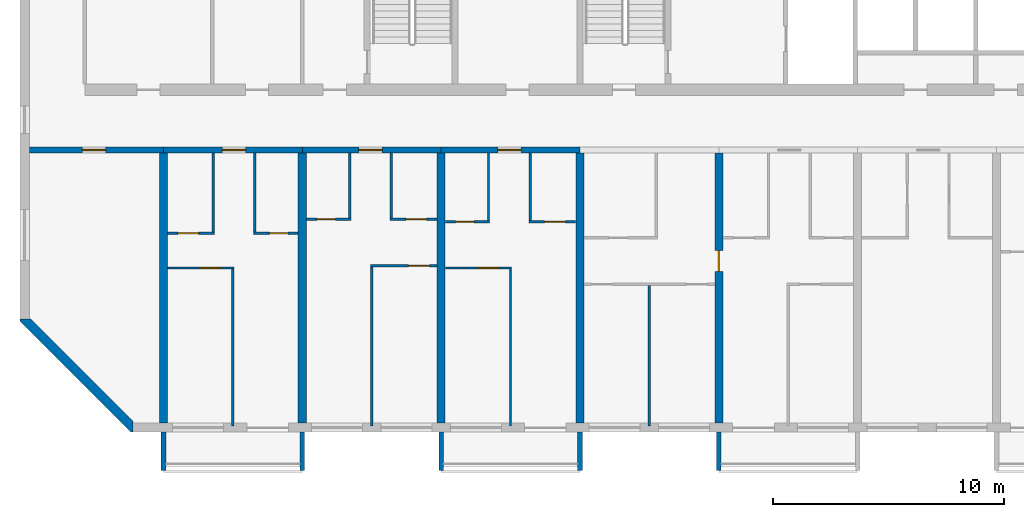
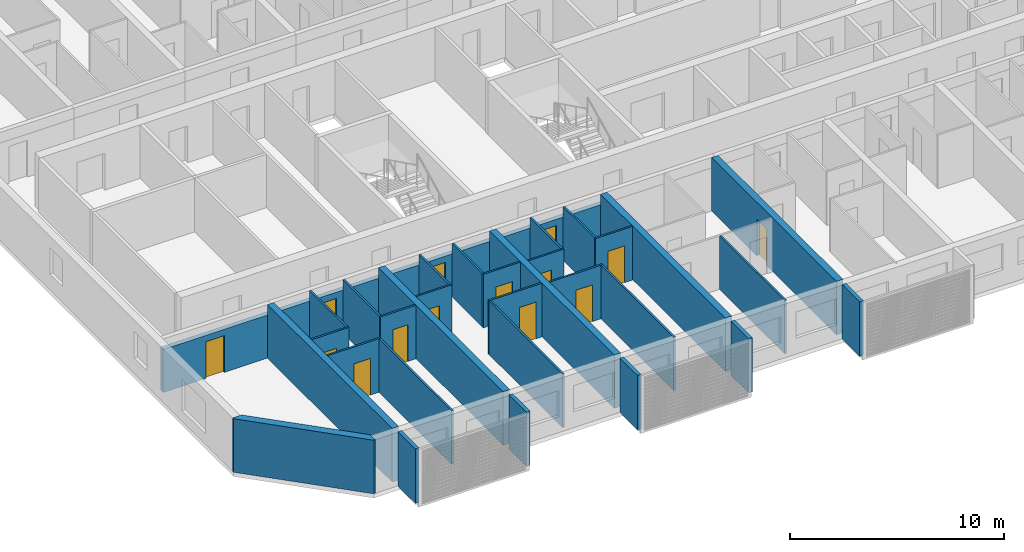
# One storey, part 2 of 26: 34 walls, 14 doors, 14 openings.
"""IFC4 building model written with IfcOpenShell, lengths in metres."""

from ifc_helpers import new_model, si_unit, direction, frame, frame_2d, origin, place, context, subcontext, project, spatial, polyline, rectangle, outline, extrude, source, transform, mapped, material, layer, layer_set, type_object, element, fill, save


model = new_model("IFC4")

# Units and contexts
model_context = context("Model", 3, precision=1e-05, world=origin(), true_north=direction((0.0, 1.0)))
body_context = subcontext(model_context, "Body", "Model", "MODEL_VIEW")
ifc_project = project(units=[si_unit("LENGTHUNIT", "METRE"), si_unit("AREAUNIT", "SQUARE_METRE"), si_unit("VOLUMEUNIT", "CUBIC_METRE"), si_unit("PLANEANGLEUNIT", "RADIAN"), si_unit("MASSUNIT", "GRAM", prefix="KILO")], contexts=[model_context])

# Site, building, storey
site_placement = place(None, origin())
site = spatial("IfcSite", under=ifc_project, at=site_placement, CompositionType="ELEMENT")
building_placement = place(site_placement, origin())
building = spatial("IfcBuilding", under=site, at=building_placement, Name="Poui Terraces", CompositionType="ELEMENT")
storey_placement = place(building_placement, frame((0.0, 0.0, 79.5)))
storey = spatial("IfcBuildingStorey", under=building, at=storey_placement, Name="L21", CompositionType="ELEMENT", Elevation=79.5)

# Wall, opening, door
ifc_material_1 = material(Name="Concrete 65 MPa", Category="concrete")
ifc_layer_1 = layer(ifc_material_1, 0.25)
ifc_layer_set_1 = layer_set([ifc_layer_1], Name="Concrete 65 MPa")
wall_type_1 = type_object("IfcWallType", Name="CORRIDOR WALL 250 65MPa", PredefinedType="SHEAR", material=ifc_layer_set_1)
wall_1_placement = place(storey_placement, frame((6.199951171875, 12.0, 0.0), z_axis=(0.0, 0.0, 1.0), x_axis=(1.0, 0.0, 0.0)))
wall_1 = element("IfcWall", 1, at=wall_1_placement, inside=storey, type_object=wall_type_1, Name="CORRIDOR WALL LINE B BAY 1", PredefinedType="SHEAR", context=body_context, shape_type="SweptSolid", body=[
    extrude(rectangle(XDim=5.800048828125, YDim=0.25, at=frame_2d((2.89990234375, 0.0))), origin(), (0.0, 0.0, 1.0), 2.4599609375),
])
opening_1_placement = place(wall_1_placement, frame((2.300048828125, 0.0, 0.0)))
opening_1 = element("IfcOpeningElement", 2, at=opening_1_placement, cuts=wall_1, Name="Opening D100", PredefinedType="OPENING", context=body_context, shape_type="SweptSolid", body=[
    extrude(rectangle(XDim=1.0, YDim=2.10009765625, at=frame_2d((0.5, 1.050048828125))), frame((0.0, 0.135009765625, 0.0), z_axis=(0.0, -1.0, 0.0), x_axis=(1.0, 0.0, 0.0)), (0.0, 0.0, 1.0), 0.27001953125),
])
ifc_material_2 = material(Name="Solid core timber door", Category="wood")
door_type_1 = type_object("IfcDoorType", Name="ACCESSIBLE INTERNAL DOOR 1000 X 2100", OperationType="NOTDEFINED", PredefinedType="DOOR", material=ifc_material_2)
door_1_placement = place(opening_1_placement, frame((1.0, 0.0, 0.0), z_axis=(0.0, 0.0, 1.0), x_axis=(-1.0, 0.0, 0.0)))
door_1 = element("IfcDoor", 3, at=door_1_placement, inside=storey, type_object=door_type_1, Name="ACCESSIBLE INTERNAL DOOR 083", OperationType="SINGLE_SWING_RIGHT", OverallHeight=2.10009765625, OverallWidth=1.0, PredefinedType="DOOR", context=body_context, shape_type="SweptSolid", body=[
    extrude(rectangle(XDim=1.0, YDim=2.10009765625, at=frame_2d((0.5, 1.050048828125))), frame((0.0, 0.02490234375, 0.0), z_axis=(0.0, -1.0, 0.0), x_axis=(1.0, 0.0, 0.0)), (0.0, 0.0, 1.0), 0.050048828125),
])
fill(opening_1, door_1)

wall_2_placement = place(storey_placement, frame((12.0, 12.0, 0.0), z_axis=(0.0, 0.0, 1.0), x_axis=(1.0, 0.0, 0.0)))
wall_2 = element("IfcWall", 4, at=wall_2_placement, inside=storey, type_object=wall_type_1, Name="CORRIDOR WALL LINE B BAY 2", PredefinedType="SHEAR", context=body_context, shape_type="SweptSolid", body=[
    extrude(rectangle(XDim=6.0, YDim=0.25, at=frame_2d((3.0, 0.0))), origin(), (0.0, 0.0, 1.0), 2.4599609375),
])
opening_2_placement = place(wall_2_placement, frame((2.550048828125, 0.0, 0.0)))
opening_2 = element("IfcOpeningElement", 5, at=opening_2_placement, cuts=wall_2, Name="Opening FD30S", PredefinedType="OPENING", context=body_context, shape_type="SweptSolid", body=[
    extrude(rectangle(XDim=1.0, YDim=2.10009765625, at=frame_2d((0.5, 1.050048828125))), frame((0.0, 0.135009765625, 0.0), z_axis=(0.0, -1.0, 0.0), x_axis=(1.0, 0.0, 0.0)), (0.0, 0.0, 1.0), 0.27001953125),
])
ifc_material_3 = material(Name="Steel fire door", Category="steel")
door_type_2 = type_object("IfcDoorType", Name="FLAT ENTRANCE DOOR 1000 X 2100", OperationType="NOTDEFINED", PredefinedType="DOOR", material=ifc_material_3)
door_2_placement = place(opening_2_placement, frame((1.0, 0.0, 0.0), z_axis=(0.0, 0.0, 1.0), x_axis=(-1.0, 0.0, 0.0)))
door_2 = element("IfcDoor", 6, at=door_2_placement, inside=storey, type_object=door_type_2, Name="FLAT ENTRANCE DOOR 086", OperationType="SINGLE_SWING_LEFT", OverallHeight=2.10009765625, OverallWidth=1.0, PredefinedType="DOOR", context=body_context, shape_type="SweptSolid", body=[
    extrude(rectangle(XDim=1.0, YDim=2.10009765625, at=frame_2d((0.5, 1.050048828125))), frame((0.0, 0.02490234375, 0.0), z_axis=(0.0, -1.0, 0.0), x_axis=(1.0, 0.0, 0.0)), (0.0, 0.0, 1.0), 0.050048828125),
])
fill(opening_2, door_2)

wall_3_placement = place(storey_placement, frame((18.0, 12.0, 0.0), z_axis=(0.0, 0.0, 1.0), x_axis=(1.0, 0.0, 0.0)))
wall_3 = element("IfcWall", 7, at=wall_3_placement, inside=storey, type_object=wall_type_1, Name="CORRIDOR WALL LINE B BAY 3", PredefinedType="SHEAR", context=body_context, shape_type="SweptSolid", body=[
    extrude(rectangle(XDim=6.0, YDim=0.25, at=frame_2d((3.0, 0.0))), origin(), (0.0, 0.0, 1.0), 2.4599609375),
])
opening_3_placement = place(wall_3_placement, frame((2.449951171875, 0.0, 0.0)))
opening_3 = element("IfcOpeningElement", 8, at=opening_3_placement, cuts=wall_3, Name="Opening FD30S", PredefinedType="OPENING", context=body_context, shape_type="SweptSolid", body=[
    extrude(rectangle(XDim=1.0, YDim=2.10009765625, at=frame_2d((0.5, 1.050048828125))), frame((0.0, 0.135009765625, 0.0), z_axis=(0.0, -1.0, 0.0), x_axis=(1.0, 0.0, 0.0)), (0.0, 0.0, 1.0), 0.27001953125),
])
door_3_placement = place(opening_3_placement, frame((1.0, 0.0, 0.0), z_axis=(0.0, 0.0, 1.0), x_axis=(-1.0, 0.0, 0.0)))
door_3 = element("IfcDoor", 9, at=door_3_placement, inside=storey, type_object=door_type_2, Name="FLAT ENTRANCE DOOR 089", OperationType="SINGLE_SWING_RIGHT", OverallHeight=2.10009765625, OverallWidth=1.0, PredefinedType="DOOR", context=body_context, shape_type="SweptSolid", body=[
    extrude(rectangle(XDim=1.0, YDim=2.10009765625, at=frame_2d((0.5, 1.050048828125))), frame((0.0, 0.02490234375, 0.0), z_axis=(0.0, -1.0, 0.0), x_axis=(1.0, 0.0, 0.0)), (0.0, 0.0, 1.0), 0.050048828125),
])
fill(opening_3, door_3)

wall_4_placement = place(storey_placement, frame((24.0, 12.0, 0.0), z_axis=(0.0, 0.0, 1.0), x_axis=(1.0, 0.0, 0.0)))
wall_4 = element("IfcWall", 10, at=wall_4_placement, inside=storey, type_object=wall_type_1, Name="CORRIDOR WALL LINE B BAY 4", PredefinedType="SHEAR", context=body_context, shape_type="SweptSolid", body=[
    extrude(rectangle(XDim=6.0, YDim=0.25, at=frame_2d((3.0, 0.0))), origin(), (0.0, 0.0, 1.0), 2.4599609375),
])
opening_4_placement = place(wall_4_placement, frame((2.449951171875, 0.0, 0.0)))
opening_4 = element("IfcOpeningElement", 11, at=opening_4_placement, cuts=wall_4, Name="Opening FD30S", PredefinedType="OPENING", context=body_context, shape_type="SweptSolid", body=[
    extrude(rectangle(XDim=1.0, YDim=2.10009765625, at=frame_2d((0.5, 1.050048828125))), frame((0.0, 0.135009765625, 0.0), z_axis=(0.0, -1.0, 0.0), x_axis=(1.0, 0.0, 0.0)), (0.0, 0.0, 1.0), 0.27001953125),
])
door_4_placement = place(opening_4_placement, frame((1.0, 0.0, 0.0), z_axis=(0.0, 0.0, 1.0), x_axis=(-1.0, 0.0, 0.0)))
door_4 = element("IfcDoor", 12, at=door_4_placement, inside=storey, type_object=door_type_2, Name="FLAT ENTRANCE DOOR 094", OperationType="SINGLE_SWING_RIGHT", OverallHeight=2.10009765625, OverallWidth=1.0, PredefinedType="DOOR", context=body_context, shape_type="SweptSolid", body=[
    extrude(rectangle(XDim=1.0, YDim=2.10009765625, at=frame_2d((0.5, 1.050048828125))), frame((0.0, 0.02490234375, 0.0), z_axis=(0.0, -1.0, 0.0), x_axis=(1.0, 0.0, 0.0)), (0.0, 0.0, 1.0), 0.050048828125),
])
fill(opening_4, door_4)

# Walls
ifc_layer_2 = layer(ifc_material_1, 0.35009765625)
ifc_layer_set_2 = layer_set([ifc_layer_2], Name="Concrete 65 MPa")
wall_type_2 = type_object("IfcWallType", Name="CROSS WALL 350 65MPa", PredefinedType="SHEAR", material=ifc_layer_set_2)
for number, where, z_axis, x_axis, name in (
    (13, (12.0, 0.199951171875, 0.0), (0.0, 0.0, 1.0), (0.0, 1.0, 0.0), "CROSS WALL LINE 3 SOUTH"),
    (14, (18.0, 0.199951171875, 0.0), (0.0, 0.0, 1.0), (0.0, 1.0, 0.0), "CROSS WALL LINE 4 SOUTH"),
    (15, (24.0, 0.199951171875, 0.0), (0.0, 0.0, 1.0), (0.0, 1.0, 0.0), "CROSS WALL LINE 5 SOUTH"),
    (16, (30.0, 0.199951171875, 0.0), (0.0, 0.0, 1.0), (0.0, 1.0, 0.0), "CROSS WALL LINE 6 SOUTH"),
):
    element("IfcWall", number, at=place(storey_placement, frame(where, z_axis=z_axis, x_axis=x_axis)), inside=storey, type_object=wall_type_2, Name=name, PredefinedType="SHEAR", context=body_context, shape_type="SweptSolid", body=[
        extrude(rectangle(XDim=11.675048828125, YDim=0.35009765625, at=frame_2d((5.83740234375, 0.0))), origin(), (0.0, 0.0, 1.0), 3.06005859375),
    ])

# Wall, opening, door
wall_5_placement = place(storey_placement, frame((36.0, 0.199951171875, 0.0), z_axis=(0.0, 0.0, 1.0), x_axis=(0.0, 1.0, 0.0)))
wall_5 = element("IfcWall", 17, at=wall_5_placement, inside=storey, type_object=wall_type_2, Name="CROSS WALL LINE 7 SOUTH", PredefinedType="SHEAR", context=body_context, shape_type="SweptSolid", body=[
    extrude(rectangle(XDim=11.675048828125, YDim=0.35009765625, at=frame_2d((5.83740234375, 0.0))), origin(), (0.0, 0.0, 1.0), 3.06005859375),
])
opening_5_placement = place(wall_5_placement, frame((6.550048828125, 0.0, 0.0)))
opening_5 = element("IfcOpeningElement", 18, at=opening_5_placement, cuts=wall_5, Name="Opening D90", PredefinedType="OPENING", context=body_context, shape_type="SweptSolid", body=[
    extrude(rectangle(XDim=0.89990234375, YDim=2.10009765625, at=frame_2d((0.449951171875, 1.050048828125))), frame((0.0, 0.18505859375, 0.0), z_axis=(0.0, -1.0, 0.0), x_axis=(1.0, 0.0, 0.0)), (0.0, 0.0, 1.0), 0.3701171875),
])
door_type_3 = type_object("IfcDoorType", Name="INTERNAL DOOR 900 X 2100", OperationType="NOTDEFINED", PredefinedType="DOOR", material=ifc_material_2)
door_5_placement = place(opening_5_placement, frame((0.89990234375, 0.0, 0.0), z_axis=(0.0, 0.0, 1.0), x_axis=(-1.0, 0.0, 0.0)))
door_5 = element("IfcDoor", 19, at=door_5_placement, inside=storey, type_object=door_type_3, Name="INTERNAL DOOR 099", OperationType="SINGLE_SWING_LEFT", OverallHeight=2.10009765625, OverallWidth=0.89990234375, PredefinedType="DOOR", context=body_context, shape_type="SweptSolid", body=[
    extrude(rectangle(XDim=0.89990234375, YDim=2.10009765625, at=frame_2d((0.449951171875, 1.050048828125))), frame((0.0, 0.02490234375, 0.0), z_axis=(0.0, -1.0, 0.0), x_axis=(1.0, 0.0, 0.0)), (0.0, 0.0, 1.0), 0.050048828125),
])
fill(opening_5, door_5)

ifc_material_4 = material(Name="Plasterboard partition")
ifc_layer_3 = layer(ifc_material_4, 0.10009765625)
ifc_layer_set_3 = layer_set([ifc_layer_3], Name="Plasterboard partition")
wall_type_3 = type_object("IfcWallType", Name="FLAT PARTITION 100", PredefinedType="PARTITIONING", material=ifc_layer_set_3)
wall_6_placement = place(storey_placement, frame((12.18505859375, 6.89990234375, 0.0), z_axis=(0.0, 0.0, 1.0), x_axis=(1.0, 0.0, 0.0)))
wall_6 = element("IfcWall", 20, at=wall_6_placement, inside=storey, type_object=wall_type_3, Name="FLAT PARTITION 100", PredefinedType="PARTITIONING", context=body_context, shape_type="SweptSolid", body=[
    extrude(rectangle(XDim=2.864990234375, YDim=0.10009765625, at=frame_2d((1.4326171875, 0.0))), origin(), (0.0, 0.0, 1.0), 3.06005859375),
])
opening_6_placement = place(wall_6_placement, frame((1.4150390625, 0.0, 0.0)))
opening_6 = element("IfcOpeningElement", 21, at=opening_6_placement, cuts=wall_6, Name="Opening D90", PredefinedType="OPENING", context=body_context, shape_type="SweptSolid", body=[
    extrude(rectangle(XDim=0.89990234375, YDim=2.10009765625, at=frame_2d((0.449951171875, 1.050048828125))), frame((0.0, 0.06005859375, 0.0), z_axis=(0.0, -1.0, 0.0), x_axis=(1.0, 0.0, 0.0)), (0.0, 0.0, 1.0), 0.1201171875),
])
door_6_placement = place(opening_6_placement, origin())
door_6 = element("IfcDoor", 22, at=door_6_placement, inside=storey, type_object=door_type_3, Name="INTERNAL DOOR 085", OperationType="SINGLE_SWING_LEFT", OverallHeight=2.10009765625, OverallWidth=0.89990234375, PredefinedType="DOOR", context=body_context, shape_type="SweptSolid", body=[
    extrude(rectangle(XDim=0.89990234375, YDim=2.10009765625, at=frame_2d((0.449951171875, 1.050048828125))), frame((0.0, 0.02490234375, 0.0), z_axis=(0.0, -1.0, 0.0), x_axis=(1.0, 0.0, 0.0)), (0.0, 0.0, 1.0), 0.050048828125),
])
fill(opening_6, door_6)

wall_7_placement = place(storey_placement, frame((24.18505859375, 6.89990234375, 0.0), z_axis=(0.0, 0.0, 1.0), x_axis=(1.0, 0.0, 0.0)))
wall_7 = element("IfcWall", 23, at=wall_7_placement, inside=storey, type_object=wall_type_3, Name="FLAT PARTITION 100", PredefinedType="PARTITIONING", context=body_context, shape_type="SweptSolid", body=[
    extrude(rectangle(XDim=2.864990234375, YDim=0.10009765625, at=frame_2d((1.4326171875, 0.0))), origin(), (0.0, 0.0, 1.0), 3.06005859375),
])
opening_7_placement = place(wall_7_placement, frame((1.4150390625, 0.0, 0.0)))
opening_7 = element("IfcOpeningElement", 24, at=opening_7_placement, cuts=wall_7, Name="Opening D90", PredefinedType="OPENING", context=body_context, shape_type="SweptSolid", body=[
    extrude(rectangle(XDim=0.89990234375, YDim=2.10009765625, at=frame_2d((0.449951171875, 1.050048828125))), frame((0.0, 0.06005859375, 0.0), z_axis=(0.0, -1.0, 0.0), x_axis=(1.0, 0.0, 0.0)), (0.0, 0.0, 1.0), 0.1201171875),
])
door_7_placement = place(opening_7_placement, origin())
door_7 = element("IfcDoor", 25, at=door_7_placement, inside=storey, type_object=door_type_3, Name="INTERNAL DOOR 093", OperationType="SINGLE_SWING_LEFT", OverallHeight=2.10009765625, OverallWidth=0.89990234375, PredefinedType="DOOR", context=body_context, shape_type="SweptSolid", body=[
    extrude(rectangle(XDim=0.89990234375, YDim=2.10009765625, at=frame_2d((0.449951171875, 1.050048828125))), frame((0.0, 0.02490234375, 0.0), z_axis=(0.0, -1.0, 0.0), x_axis=(1.0, 0.0, 0.0)), (0.0, 0.0, 1.0), 0.050048828125),
])
fill(opening_7, door_7)

wall_8_placement = place(storey_placement, frame((20.949951171875, 7.0, 0.0), z_axis=(0.0, 0.0, 1.0), x_axis=(1.0, 0.0, 0.0)))
wall_8 = element("IfcWall", 26, at=wall_8_placement, inside=storey, type_object=wall_type_3, Name="FLAT PARTITION 100", PredefinedType="PARTITIONING", context=body_context, shape_type="SweptSolid", body=[
    extrude(rectangle(XDim=2.864990234375, YDim=0.10009765625, at=frame_2d((1.4326171875, 0.0))), origin(), (0.0, 0.0, 1.0), 3.06005859375),
])
opening_8_placement = place(wall_8_placement, frame((1.64990234375, 0.0, 0.0)))
opening_8 = element("IfcOpeningElement", 27, at=opening_8_placement, cuts=wall_8, Name="Opening D90", PredefinedType="OPENING", context=body_context, shape_type="SweptSolid", body=[
    extrude(rectangle(XDim=0.89990234375, YDim=2.10009765625, at=frame_2d((0.449951171875, 1.050048828125))), frame((0.0, 0.06005859375, 0.0), z_axis=(0.0, -1.0, 0.0), x_axis=(1.0, 0.0, 0.0)), (0.0, 0.0, 1.0), 0.1201171875),
])
door_8_placement = place(opening_8_placement, origin())
door_8 = element("IfcDoor", 28, at=door_8_placement, inside=storey, type_object=door_type_3, Name="INTERNAL DOOR 091", OperationType="SINGLE_SWING_LEFT", OverallHeight=2.10009765625, OverallWidth=0.89990234375, PredefinedType="DOOR", context=body_context, shape_type="SweptSolid", body=[
    extrude(rectangle(XDim=0.89990234375, YDim=2.10009765625, at=frame_2d((0.449951171875, 1.050048828125))), frame((0.0, 0.02490234375, 0.0), z_axis=(0.0, -1.0, 0.0), x_axis=(1.0, 0.0, 0.0)), (0.0, 0.0, 1.0), 0.050048828125),
])
fill(opening_8, door_8)

wall_9_placement = place(storey_placement, frame((12.18505859375, 8.39990234375, 0.0), z_axis=(0.0, 0.0, 1.0), x_axis=(1.0, 0.0, 0.0)))
wall_9 = element("IfcWall", 29, at=wall_9_placement, inside=storey, type_object=wall_type_3, Name="FLAT PARTITION 100", PredefinedType="PARTITIONING", context=body_context, shape_type="SweptSolid", body=[
    extrude(rectangle(XDim=2.014892578125, YDim=0.10009765625, at=frame_2d((1.00732421875, 0.0))), origin(), (0.0, 0.0, 1.0), 3.06005859375),
])
opening_9_placement = place(wall_9_placement, frame((0.43994140625, 0.0, 0.0)))
opening_9 = element("IfcOpeningElement", 30, at=opening_9_placement, cuts=wall_9, Name="Opening D90", PredefinedType="OPENING", context=body_context, shape_type="SweptSolid", body=[
    extrude(rectangle(XDim=0.89990234375, YDim=2.10009765625, at=frame_2d((0.449951171875, 1.050048828125))), frame((0.0, 0.06005859375, 0.0), z_axis=(0.0, -1.0, 0.0), x_axis=(1.0, 0.0, 0.0)), (0.0, 0.0, 1.0), 0.1201171875),
])
door_9_placement = place(opening_9_placement, origin())
door_9 = element("IfcDoor", 31, at=door_9_placement, inside=storey, type_object=door_type_3, Name="INTERNAL DOOR 084", OperationType="SINGLE_SWING_RIGHT", OverallHeight=2.10009765625, OverallWidth=0.89990234375, PredefinedType="DOOR", context=body_context, shape_type="SweptSolid", body=[
    extrude(rectangle(XDim=0.89990234375, YDim=2.10009765625, at=frame_2d((0.449951171875, 1.050048828125))), frame((0.0, 0.02490234375, 0.0), z_axis=(0.0, -1.0, 0.0), x_axis=(1.0, 0.0, 0.0)), (0.0, 0.0, 1.0), 0.050048828125),
])
fill(opening_9, door_9)

wall_10_placement = place(storey_placement, frame((15.89990234375, 8.39990234375, 0.0), z_axis=(0.0, 0.0, 1.0), x_axis=(1.0, 0.0, 0.0)))
wall_10 = element("IfcWall", 32, at=wall_10_placement, inside=storey, type_object=wall_type_3, Name="FLAT PARTITION 100", PredefinedType="PARTITIONING", context=body_context, shape_type="SweptSolid", body=[
    extrude(rectangle(XDim=1.9150390625, YDim=0.10009765625, at=frame_2d((0.95751953125, 0.0))), origin(), (0.0, 0.0, 1.0), 3.06005859375),
])
opening_10_placement = place(wall_10_placement, frame((0.675048828125, 0.0, 0.0)))
opening_10 = element("IfcOpeningElement", 33, at=opening_10_placement, cuts=wall_10, Name="Opening D80", PredefinedType="OPENING", context=body_context, shape_type="SweptSolid", body=[
    extrude(rectangle(XDim=0.800048828125, YDim=2.10009765625, at=frame_2d((0.39990234375, 1.050048828125))), frame((0.0, 0.06005859375, 0.0), z_axis=(0.0, -1.0, 0.0), x_axis=(1.0, 0.0, 0.0)), (0.0, 0.0, 1.0), 0.1201171875),
])
door_type_4 = type_object("IfcDoorType", Name="BATHROOM, LAUNDRY AND STORE DOOR 800 X 2100", OperationType="NOTDEFINED", PredefinedType="DOOR", material=ifc_material_2)
door_10_placement = place(opening_10_placement, origin())
door_10 = element("IfcDoor", 34, at=door_10_placement, inside=storey, type_object=door_type_4, Name="BATHROOM, LAUNDRY AND STORE DOOR 087", OperationType="SINGLE_SWING_LEFT", OverallHeight=2.10009765625, OverallWidth=0.800048828125, PredefinedType="DOOR", context=body_context, shape_type="SweptSolid", body=[
    extrude(rectangle(XDim=0.800048828125, YDim=2.10009765625, at=frame_2d((0.39990234375, 1.050048828125))), frame((0.0, 0.02490234375, 0.0), z_axis=(0.0, -1.0, 0.0), x_axis=(1.0, 0.0, 0.0)), (0.0, 0.0, 1.0), 0.050048828125),
])
fill(opening_10, door_10)

wall_11_placement = place(storey_placement, frame((24.18505859375, 8.89990234375, 0.0), z_axis=(0.0, 0.0, 1.0), x_axis=(1.0, 0.0, 0.0)))
wall_11 = element("IfcWall", 35, at=wall_11_placement, inside=storey, type_object=wall_type_3, Name="FLAT PARTITION 100", PredefinedType="PARTITIONING", context=body_context, shape_type="SweptSolid", body=[
    extrude(rectangle(XDim=1.9150390625, YDim=0.10009765625, at=frame_2d((0.95751953125, 0.0))), origin(), (0.0, 0.0, 1.0), 3.06005859375),
])
opening_11_placement = place(wall_11_placement, frame((0.43994140625, 0.0, 0.0)))
opening_11 = element("IfcOpeningElement", 36, at=opening_11_placement, cuts=wall_11, Name="Opening D80", PredefinedType="OPENING", context=body_context, shape_type="SweptSolid", body=[
    extrude(rectangle(XDim=0.800048828125, YDim=2.10009765625, at=frame_2d((0.39990234375, 1.050048828125))), frame((0.0, 0.06005859375, 0.0), z_axis=(0.0, -1.0, 0.0), x_axis=(1.0, 0.0, 0.0)), (0.0, 0.0, 1.0), 0.1201171875),
])
door_11_placement = place(opening_11_placement, origin())
door_11 = element("IfcDoor", 37, at=door_11_placement, inside=storey, type_object=door_type_4, Name="BATHROOM, LAUNDRY AND STORE DOOR 092", OperationType="SINGLE_SWING_RIGHT", OverallHeight=2.10009765625, OverallWidth=0.800048828125, PredefinedType="DOOR", context=body_context, shape_type="SweptSolid", body=[
    extrude(rectangle(XDim=0.800048828125, YDim=2.10009765625, at=frame_2d((0.39990234375, 1.050048828125))), frame((0.0, 0.02490234375, 0.0), z_axis=(0.0, -1.0, 0.0), x_axis=(1.0, 0.0, 0.0)), (0.0, 0.0, 1.0), 0.050048828125),
])
fill(opening_11, door_11)

wall_12_placement = place(storey_placement, frame((27.800048828125, 8.89990234375, 0.0), z_axis=(0.0, 0.0, 1.0), x_axis=(1.0, 0.0, 0.0)))
wall_12 = element("IfcWall", 38, at=wall_12_placement, inside=storey, type_object=wall_type_3, Name="FLAT PARTITION 100", PredefinedType="PARTITIONING", context=body_context, shape_type="SweptSolid", body=[
    extrude(rectangle(XDim=2.014892578125, YDim=0.10009765625, at=frame_2d((1.00732421875, 0.0))), origin(), (0.0, 0.0, 1.0), 3.06005859375),
])
opening_12_placement = place(wall_12_placement, frame((0.675048828125, 0.0, 0.0)))
opening_12 = element("IfcOpeningElement", 39, at=opening_12_placement, cuts=wall_12, Name="Opening D90", PredefinedType="OPENING", context=body_context, shape_type="SweptSolid", body=[
    extrude(rectangle(XDim=0.89990234375, YDim=2.10009765625, at=frame_2d((0.449951171875, 1.050048828125))), frame((0.0, 0.06005859375, 0.0), z_axis=(0.0, -1.0, 0.0), x_axis=(1.0, 0.0, 0.0)), (0.0, 0.0, 1.0), 0.1201171875),
])
door_12_placement = place(opening_12_placement, origin())
door_12 = element("IfcDoor", 40, at=door_12_placement, inside=storey, type_object=door_type_3, Name="INTERNAL DOOR 095", OperationType="SINGLE_SWING_LEFT", OverallHeight=2.10009765625, OverallWidth=0.89990234375, PredefinedType="DOOR", context=body_context, shape_type="SweptSolid", body=[
    extrude(rectangle(XDim=0.89990234375, YDim=2.10009765625, at=frame_2d((0.449951171875, 1.050048828125))), frame((0.0, 0.02490234375, 0.0), z_axis=(0.0, -1.0, 0.0), x_axis=(1.0, 0.0, 0.0)), (0.0, 0.0, 1.0), 0.050048828125),
])
fill(opening_12, door_12)

wall_13_placement = place(storey_placement, frame((18.18505859375, 9.0, 0.0), z_axis=(0.0, 0.0, 1.0), x_axis=(1.0, 0.0, 0.0)))
wall_13 = element("IfcWall", 41, at=wall_13_placement, inside=storey, type_object=wall_type_3, Name="FLAT PARTITION 100", PredefinedType="PARTITIONING", context=body_context, shape_type="SweptSolid", body=[
    extrude(rectangle(XDim=1.9150390625, YDim=0.10009765625, at=frame_2d((0.95751953125, 0.0))), origin(), (0.0, 0.0, 1.0), 3.06005859375),
])
opening_13_placement = place(wall_13_placement, frame((0.43994140625, 0.0, 0.0)))
opening_13 = element("IfcOpeningElement", 42, at=opening_13_placement, cuts=wall_13, Name="Opening D80", PredefinedType="OPENING", context=body_context, shape_type="SweptSolid", body=[
    extrude(rectangle(XDim=0.800048828125, YDim=2.10009765625, at=frame_2d((0.39990234375, 1.050048828125))), frame((0.0, 0.06005859375, 0.0), z_axis=(0.0, -1.0, 0.0), x_axis=(1.0, 0.0, 0.0)), (0.0, 0.0, 1.0), 0.1201171875),
])
door_13_placement = place(opening_13_placement, origin())
door_13 = element("IfcDoor", 43, at=door_13_placement, inside=storey, type_object=door_type_4, Name="BATHROOM, LAUNDRY AND STORE DOOR 088", OperationType="SINGLE_SWING_LEFT", OverallHeight=2.10009765625, OverallWidth=0.800048828125, PredefinedType="DOOR", context=body_context, shape_type="SweptSolid", body=[
    extrude(rectangle(XDim=0.800048828125, YDim=2.10009765625, at=frame_2d((0.39990234375, 1.050048828125))), frame((0.0, 0.02490234375, 0.0), z_axis=(0.0, -1.0, 0.0), x_axis=(1.0, 0.0, 0.0)), (0.0, 0.0, 1.0), 0.050048828125),
])
fill(opening_13, door_13)

wall_14_placement = place(storey_placement, frame((21.800048828125, 9.0, 0.0), z_axis=(0.0, 0.0, 1.0), x_axis=(1.0, 0.0, 0.0)))
wall_14 = element("IfcWall", 44, at=wall_14_placement, inside=storey, type_object=wall_type_3, Name="FLAT PARTITION 100", PredefinedType="PARTITIONING", context=body_context, shape_type="SweptSolid", body=[
    extrude(rectangle(XDim=2.014892578125, YDim=0.10009765625, at=frame_2d((1.00732421875, 0.0))), origin(), (0.0, 0.0, 1.0), 3.06005859375),
])
opening_14_placement = place(wall_14_placement, frame((0.675048828125, 0.0, 0.0)))
opening_14 = element("IfcOpeningElement", 45, at=opening_14_placement, cuts=wall_14, Name="Opening D90", PredefinedType="OPENING", context=body_context, shape_type="SweptSolid", body=[
    extrude(rectangle(XDim=0.89990234375, YDim=2.10009765625, at=frame_2d((0.449951171875, 1.050048828125))), frame((0.0, 0.06005859375, 0.0), z_axis=(0.0, -1.0, 0.0), x_axis=(1.0, 0.0, 0.0)), (0.0, 0.0, 1.0), 0.1201171875),
])
door_14_placement = place(opening_14_placement, origin())
door_14 = element("IfcDoor", 46, at=door_14_placement, inside=storey, type_object=door_type_3, Name="INTERNAL DOOR 090", OperationType="SINGLE_SWING_RIGHT", OverallHeight=2.10009765625, OverallWidth=0.89990234375, PredefinedType="DOOR", context=body_context, shape_type="SweptSolid", body=[
    extrude(rectangle(XDim=0.89990234375, YDim=2.10009765625, at=frame_2d((0.449951171875, 1.050048828125))), frame((0.0, 0.02490234375, 0.0), z_axis=(0.0, -1.0, 0.0), x_axis=(1.0, 0.0, 0.0)), (0.0, 0.0, 1.0), 0.050048828125),
])
fill(opening_14, door_14)

# Walls
wall_15_placement = place(storey_placement, frame((14.14990234375, 8.449951171875, 0.0), z_axis=(0.0, 0.0, 1.0), x_axis=(0.0, 1.0, 0.0)))
element("IfcWall", 47, at=wall_15_placement, inside=storey, type_object=wall_type_3, Name="FLAT PARTITION 100", PredefinedType="PARTITIONING", context=body_context, shape_type="SweptSolid", body=[
    extrude(rectangle(XDim=3.4150390625, YDim=0.10009765625, at=frame_2d((1.70751953125, 0.0))), origin(), (0.0, 0.0, 1.0), 3.06005859375),
])
wall_16_placement = place(storey_placement, frame((15.0, 0.06005859375, 0.0), z_axis=(0.0, 0.0, 1.0), x_axis=(0.0, 1.0, 0.0)))
element("IfcWall", 48, at=wall_16_placement, inside=storey, type_object=wall_type_3, Name="FLAT PARTITION 100", PredefinedType="PARTITIONING", context=body_context, shape_type="SweptSolid", body=[
    extrude(rectangle(XDim=6.7900390625, YDim=0.10009765625, at=frame_2d((3.39501953125, 0.0))), origin(), (0.0, 0.0, 1.0), 3.06005859375),
])
wall_17_placement = place(storey_placement, frame((15.949951171875, 8.449951171875, 0.0), z_axis=(0.0, 0.0, 1.0), x_axis=(0.0, 1.0, 0.0)))
element("IfcWall", 49, at=wall_17_placement, inside=storey, type_object=wall_type_3, Name="FLAT PARTITION 100", PredefinedType="PARTITIONING", context=body_context, shape_type="SweptSolid", body=[
    extrude(rectangle(XDim=3.4150390625, YDim=0.10009765625, at=frame_2d((1.70751953125, 0.0))), origin(), (0.0, 0.0, 1.0), 3.06005859375),
])
wall_18_placement = place(storey_placement, frame((20.050048828125, 9.050048828125, 0.0), z_axis=(0.0, 0.0, 1.0), x_axis=(0.0, 1.0, 0.0)))
element("IfcWall", 50, at=wall_18_placement, inside=storey, type_object=wall_type_3, Name="FLAT PARTITION 100", PredefinedType="PARTITIONING", context=body_context, shape_type="SweptSolid", body=[
    extrude(rectangle(XDim=2.81494140625, YDim=0.10009765625, at=frame_2d((1.407470703125, 0.0))), origin(), (0.0, 0.0, 1.0), 3.06005859375),
])
wall_19_placement = place(storey_placement, frame((21.0, 0.06005859375, 0.0), z_axis=(0.0, 0.0, 1.0), x_axis=(0.0, 1.0, 0.0)))
element("IfcWall", 51, at=wall_19_placement, inside=storey, type_object=wall_type_3, Name="FLAT PARTITION 100", PredefinedType="PARTITIONING", context=body_context, shape_type="SweptSolid", body=[
    extrude(rectangle(XDim=6.889892578125, YDim=0.10009765625, at=frame_2d((3.44482421875, 0.0))), origin(), (0.0, 0.0, 1.0), 3.06005859375),
])
wall_20_placement = place(storey_placement, frame((21.85009765625, 9.050048828125, 0.0), z_axis=(0.0, 0.0, 1.0), x_axis=(0.0, 1.0, 0.0)))
element("IfcWall", 52, at=wall_20_placement, inside=storey, type_object=wall_type_3, Name="FLAT PARTITION 100", PredefinedType="PARTITIONING", context=body_context, shape_type="SweptSolid", body=[
    extrude(rectangle(XDim=2.81494140625, YDim=0.10009765625, at=frame_2d((1.407470703125, 0.0))), origin(), (0.0, 0.0, 1.0), 3.06005859375),
])
wall_21_placement = place(storey_placement, frame((26.050048828125, 8.949951171875, 0.0), z_axis=(0.0, 0.0, 1.0), x_axis=(0.0, 1.0, 0.0)))
element("IfcWall", 53, at=wall_21_placement, inside=storey, type_object=wall_type_3, Name="FLAT PARTITION 100", PredefinedType="PARTITIONING", context=body_context, shape_type="SweptSolid", body=[
    extrude(rectangle(XDim=2.9150390625, YDim=0.10009765625, at=frame_2d((1.45751953125, 0.0))), origin(), (0.0, 0.0, 1.0), 3.06005859375),
])
wall_22_placement = place(storey_placement, frame((27.0, 0.06005859375, 0.0), z_axis=(0.0, 0.0, 1.0), x_axis=(0.0, 1.0, 0.0)))
element("IfcWall", 54, at=wall_22_placement, inside=storey, type_object=wall_type_3, Name="FLAT PARTITION 100", PredefinedType="PARTITIONING", context=body_context, shape_type="SweptSolid", body=[
    extrude(rectangle(XDim=6.7900390625, YDim=0.10009765625, at=frame_2d((3.39501953125, 0.0))), origin(), (0.0, 0.0, 1.0), 3.06005859375),
])
wall_23_placement = place(storey_placement, frame((27.85009765625, 8.949951171875, 0.0), z_axis=(0.0, 0.0, 1.0), x_axis=(0.0, 1.0, 0.0)))
element("IfcWall", 55, at=wall_23_placement, inside=storey, type_object=wall_type_3, Name="FLAT PARTITION 100", PredefinedType="PARTITIONING", context=body_context, shape_type="SweptSolid", body=[
    extrude(rectangle(XDim=2.9150390625, YDim=0.10009765625, at=frame_2d((1.45751953125, 0.0))), origin(), (0.0, 0.0, 1.0), 3.06005859375),
])
wall_24_placement = place(storey_placement, frame((33.0, 0.06005859375, 0.0), z_axis=(0.0, 0.0, 1.0), x_axis=(0.0, 1.0, 0.0)))
element("IfcWall", 56, at=wall_24_placement, inside=storey, type_object=wall_type_3, Name="FLAT PARTITION 100", PredefinedType="PARTITIONING", context=body_context, shape_type="SweptSolid", body=[
    extrude(rectangle(XDim=6.08984375, YDim=0.10009765625, at=frame_2d((3.044921875, 0.0))), origin(), (0.0, 0.0, 1.0), 3.06005859375),
])
ifc_material_5 = material(Name="Precast concrete 40 MPa", Category="concrete")
ifc_layer_4 = layer(ifc_material_5, 0.39990234375)
ifc_layer_set_4 = layer_set([ifc_layer_4], Name="Precast concrete 40 MPa")
wall_type_4 = type_object("IfcWallType", Name="TERRACOTTA CLAD CHAMFER WALL 400", PredefinedType="STANDARD", material=ifc_layer_set_4)
wall_25_placement = place(storey_placement, origin())
element("IfcWall", 57, at=wall_25_placement, inside=storey, type_object=wall_type_4, Name="CHAMFER WALL CH07", PredefinedType="STANDARD", context=body_context, shape_type="SweptSolid", body=[
    extrude(outline(polyline([(5.800048828125, 4.682861328125), (5.800048828125, 4.60009765625), (10.60009765625, -0.199951171875), (10.682861328125, -0.199951171875), (10.682861328125, 0.28271484375), (6.28271484375, 4.682861328125), (5.800048828125, 4.682861328125)])), origin(), (0.0, 0.0, 1.0), 3.06005859375),
])
ifc_layer_5 = layer(ifc_material_5, 0.199951171875)
ifc_layer_set_5 = layer_set([ifc_layer_5], Name="Precast concrete 40 MPa")
wall_type_5 = type_object("IfcWallType", Name="REAR FIN 200", PredefinedType="STANDARD", material=ifc_layer_set_5)
shared_shape = source(origin(), body_context, "Body", "SweptSolid", [
    extrude(outline(polyline([(0.0, 0.0), (0.2001953125, 0.0), (0.2001953125, 1.650146484375), (0.0, 1.650146484375), (0.0, 0.0)])), origin(), (0.0, 0.0, 1.0), 3.10009765625),
])
for number, where, name in (
    (58, (11.89990234375, -1.85009765625, 0.0), "REAR FIN"),
    (59, (17.89990234375, -1.85009765625, 0.0), "REAR FIN"),
    (60, (23.89990234375, -1.85009765625, 0.0), "REAR FIN"),
    (61, (29.89990234375, -1.85009765625, 0.0), "REAR FIN"),
    (62, (35.89990234375, -1.85009765625, 0.0), "REAR FIN"),
):
    element("IfcWall", number, at=place(storey_placement, frame(where)), inside=storey, type_object=wall_type_5, Name=name, PredefinedType="STANDARD", context=body_context, shape_type="MappedRepresentation", body=[
        mapped(shared_shape, transform((0.0, 0.0, 0.0))),
    ])

save(model, "model.ifc")
